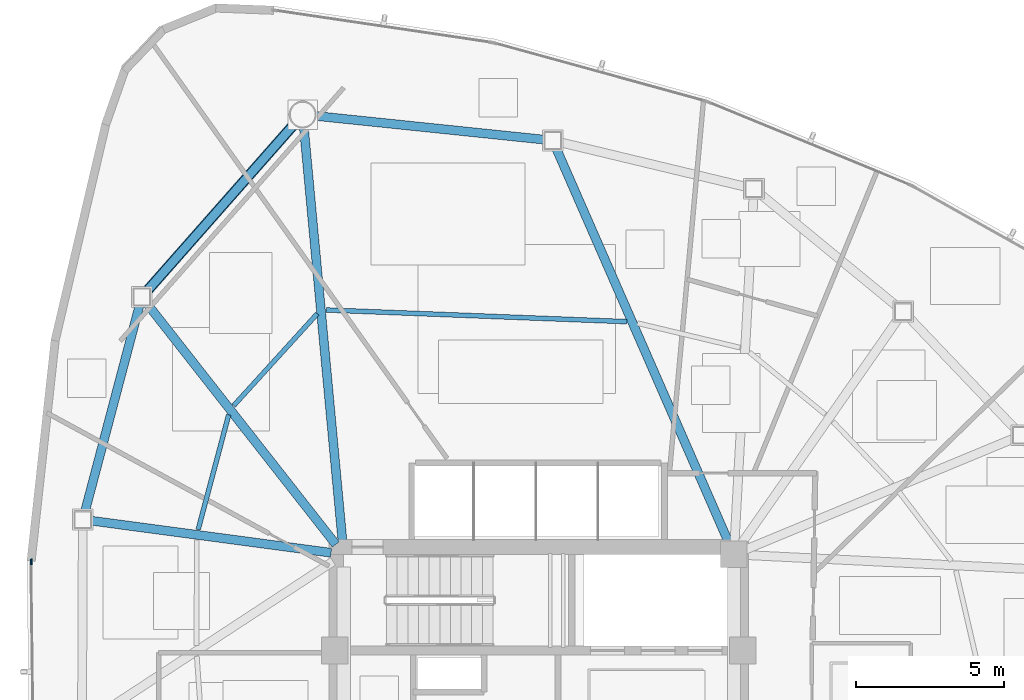
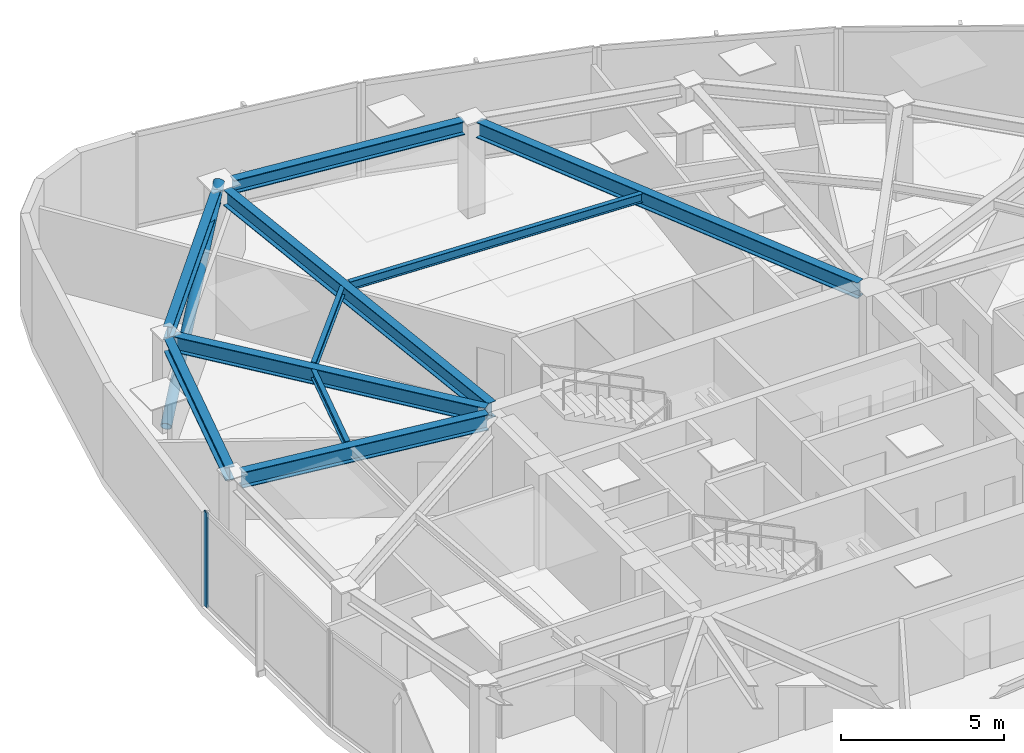
# One storey, part 7 of 18: 10 beams, 2 members, 1 element without a shape of its own.
"""IFC4 building model written with IfcOpenShell, lengths in metres."""

import ifcopenshell
import ifcopenshell.guid

model = None  # the IFC model being written
_history = None  # IfcOwnerHistory: only IFC2X3 demands one
_inside = {}  # id of a spatial element -> (the spatial element, [elements in it])
_under = {}  # id of a project, library or spatial element -> (it, [spatial elements below it])
_declared = {}  # id of a project -> (the project, [libraries it declares])
_typed = {}  # id of a type object -> (the type object, [elements of that type])
_made_of = {}  # id of a material, layer set ... -> (it, [elements and type objects made of it])


def new_model(schema):
    """Start an empty IFC model of exactly this schema.

    Asked for "IFC4X3", IfcOpenShell would pick the latest addendum, in which some entities
    have other attributes; the version numbers below select the first issue.
    IFC2X3 requires an IfcOwnerHistory on every rooted entity: one is made here for all.
    """
    global model, _history
    if schema == "IFC4X3":
        model = ifcopenshell.file(schema_version=(4, 3, 0, 0))
    else:
        model = ifcopenshell.file(schema=schema)
    _inside.clear()
    _under.clear()
    _declared.clear()
    _typed.clear()
    _made_of.clear()
    _history = None
    if model.schema == "IFC2X3":
        org = make("IfcOrganization", Name="unknown")
        user = make(
            "IfcPersonAndOrganization",
            ThePerson=make("IfcPerson", FamilyName="unknown"),
            TheOrganization=org,
        )
        app = make(
            "IfcApplication",
            ApplicationDeveloper=org,
            Version="unknown",
            ApplicationFullName="unknown",
            ApplicationIdentifier="unknown",
        )
        _history = make(
            "IfcOwnerHistory",
            OwningUser=user,
            OwningApplication=app,
            ChangeAction="ADDED",
            CreationDate=0,
        )
    return model


def make(cls, **values):
    """One entity of the class cls with the attributes given. An attribute that is None is left unset."""
    return model.create_entity(
        cls, **{name: value for name, value in values.items() if value is not None}
    )


def rooted(cls, **values):
    """An entity with a GlobalId (a new one), such as an element, a storey or a relation."""
    return make(cls, GlobalId=ifcopenshell.guid.new(), OwnerHistory=_history, **values)


def si_unit(unit_type, name, prefix=None):
    """IfcSIUnit, for example si_unit("LENGTHUNIT", "METRE", prefix="MILLI")."""
    return make("IfcSIUnit", UnitType=unit_type, Prefix=prefix, Name=name)


def assignment(units):
    """IfcUnitAssignment: the units of a project."""
    return None if units is None else make("IfcUnitAssignment", Units=units)


def point(xyz):
    """IfcCartesianPoint."""
    return None if xyz is None else make("IfcCartesianPoint", Coordinates=xyz)


def direction(xyz):
    """IfcDirection."""
    return None if xyz is None else make("IfcDirection", DirectionRatios=xyz)


def frame(location, z_axis=None, x_axis=None):
    """IfcAxis2Placement3D, a coordinate frame: its origin and axes. An axis left out is left unset."""
    return make(
        "IfcAxis2Placement3D",
        Location=point(location),
        Axis=direction(z_axis),
        RefDirection=direction(x_axis),
    )


def frame_2d(location, x_axis=None):
    """IfcAxis2Placement2D, a coordinate frame in the plane: its origin and x axis."""
    return make(
        "IfcAxis2Placement2D", Location=point(location), RefDirection=direction(x_axis)
    )


def origin():
    """The frame at (0, 0, 0) with its axes left unset."""
    return frame((0.0, 0.0, 0.0))


def origin_2d():
    """The frame at (0, 0) in the plane with its x axis left unset."""
    return frame_2d((0.0, 0.0))


def place(relative_to, where):
    """IfcLocalPlacement: puts the frame where relative to a parent placement (None: the world)."""
    return make(
        "IfcLocalPlacement", PlacementRelTo=relative_to, RelativePlacement=where
    )


def context(
    kind, dimensions, precision=None, world=None, true_north=None, identifier=None
):
    """IfcGeometricRepresentationContext, for example the 3D "Model" context."""
    return make(
        "IfcGeometricRepresentationContext",
        ContextIdentifier=identifier,
        ContextType=kind,
        CoordinateSpaceDimension=dimensions,
        Precision=precision,
        WorldCoordinateSystem=world,
        TrueNorth=true_north,
    )


def subcontext(parent, identifier, kind, view, scale=None):
    """IfcGeometricRepresentationSubContext, for example "Body" below "Model"."""
    return make(
        "IfcGeometricRepresentationSubContext",
        ContextIdentifier=identifier,
        ContextType=kind,
        ParentContext=parent,
        TargetScale=scale,
        TargetView=view,
    )


def project(units=None, contexts=None):
    """IfcProject with its units and contexts."""
    return rooted(
        "IfcProject",
        Name="project",
        RepresentationContexts=contexts,
        UnitsInContext=assignment(units),
    )


def spatial(cls, under=None, at=None, **own):
    """A site, building, storey or space (cls), placed at a placement, below another one or the project."""
    s = rooted(cls, ObjectPlacement=at, **own)
    if under is not None:
        _under.setdefault(under.id(), (under, []))[1].append(s)
    return s


def profile(cls, at=None, kind="AREA", **sizes):
    """A parametric profile (cls). Its sizes go by their IFC names, for example OverallWidth=200.0."""
    return make(cls, ProfileType=kind, Position=at, **sizes)


def hollow_rectangle(**sizes):
    """IfcRectangleHollowProfileDef."""
    return profile("IfcRectangleHollowProfileDef", **sizes)


def hollow_circle(**sizes):
    """IfcCircleHollowProfileDef."""
    return profile("IfcCircleHollowProfileDef", **sizes)


def i_section(**sizes):
    """IfcIShapeProfileDef."""
    return profile("IfcIShapeProfileDef", **sizes)


def extrude(swept, where, along, depth):
    """IfcExtrudedAreaSolid: the profile swept, set in the frame where, extruded along a direction by depth."""
    return make(
        "IfcExtrudedAreaSolid",
        SweptArea=swept,
        Position=where,
        ExtrudedDirection=direction(along),
        Depth=depth,
    )


def shape(context_of_items, identifier, shape_type, items):
    """IfcShapeRepresentation: the items that make up one representation, for example the "Body"."""
    return make(
        "IfcShapeRepresentation",
        ContextOfItems=context_of_items,
        RepresentationIdentifier=identifier,
        RepresentationType=shape_type,
        Items=items,
    )


def source(mapping_origin, context_of_items, identifier, shape_type, items):
    """IfcRepresentationMap: a shape defined once, which mapped items show again and again."""
    return make(
        "IfcRepresentationMap",
        MappingOrigin=mapping_origin,
        MappedRepresentation=shape(context_of_items, identifier, shape_type, items),
    )


def transform(
    local_origin,
    x_axis=None,
    y_axis=None,
    z_axis=None,
    scale=None,
    scale2=None,
    scale3=None,
    uniform=True,
):
    """IfcCartesianTransformationOperator3D, or its non-uniform kind. x_axis, y_axis, z_axis: its Axis1, 2, 3."""
    if uniform:
        return make(
            "IfcCartesianTransformationOperator3D",
            Axis1=direction(x_axis),
            Axis2=direction(y_axis),
            LocalOrigin=point(local_origin),
            Scale=scale,
            Axis3=direction(z_axis),
        )
    return make(
        "IfcCartesianTransformationOperator3DnonUniform",
        Axis1=direction(x_axis),
        Axis2=direction(y_axis),
        LocalOrigin=point(local_origin),
        Scale=scale,
        Axis3=direction(z_axis),
        Scale2=scale2,
        Scale3=scale3,
    )


def mapped(mapping_source, mapping_target):
    """IfcMappedItem: shows the shape of a source again, moved by a transform."""
    return make(
        "IfcMappedItem", MappingSource=mapping_source, MappingTarget=mapping_target
    )


def material(Name=None, Category=None):
    """IfcMaterial."""
    return make("IfcMaterial", Name=Name, Category=Category)


def layer(
    of_material, thickness, ventilated=None, Name=None, Category=None, Priority=None
):
    """IfcMaterialLayer: one layer of a wall or slab, of a material (None: an air gap)."""
    return make(
        "IfcMaterialLayer",
        Material=of_material,
        LayerThickness=thickness,
        IsVentilated=ventilated,
        Name=Name,
        Category=Category,
        Priority=Priority,
    )


def layer_set(layers, Name=None):
    """IfcMaterialLayerSet."""
    return make("IfcMaterialLayerSet", MaterialLayers=layers, LayerSetName=Name)


def material_profile(
    of_material, cross_section, Name=None, Category=None, Priority=None
):
    """IfcMaterialProfile: a cross section and its material."""
    return make(
        "IfcMaterialProfile",
        Name=Name,
        Material=of_material,
        Profile=cross_section,
        Priority=Priority,
        Category=Category,
    )


def profile_set(profiles, Name=None, composite=None):
    """IfcMaterialProfileSet."""
    return make(
        "IfcMaterialProfileSet",
        Name=Name,
        MaterialProfiles=profiles,
        CompositeProfile=composite,
    )


def made_of(thing, what):
    """Note that an element or type object is made of a material, layer set ...; save() writes the relation."""
    if what is not None:
        _made_of.setdefault(what.id(), (what, []))[1].append(thing)
    return thing


def type_object(cls, material=None, **own):
    """A type object (cls), such as IfcWallType, which elements share."""
    return made_of(rooted(cls, **own), material)


def type_shapes(of_type, sources):
    """Give a type object the sources (RepresentationMaps) that its elements show as mapped items."""
    of_type.RepresentationMaps = sources


def element(
    cls,
    number,
    at=None,
    inside=None,
    cuts=None,
    type_object=None,
    material=None,
    context=None,
    identifier="Body",
    shape_type=None,
    held_by="IfcProductDefinitionShape",
    body=None,
    shapes=None,
    **own,
):
    """One element of the class cls, such as IfcWall. Its Tag is "e" and its number.

    at: its placement. inside: the storey or other place that contains it. cuts: it is an
    opening in that element (IfcRelVoidsElement). A single representation is given by context,
    identifier, shape_type and body (its items); several are given by shapes. held_by: the class
    of the entity that holds the representations. save() writes the other relations.
    """
    e = rooted(cls, Tag="e%d" % number, ObjectPlacement=at, **own)
    if body is not None:
        shapes = [shape(context, identifier, shape_type, body)]
    if shapes is not None:
        e.Representation = make(held_by, Representations=shapes)
    if inside is not None:
        _inside.setdefault(inside.id(), (inside, []))[1].append(e)
    if cuts is not None:
        rooted(
            "IfcRelVoidsElement", RelatingBuildingElement=cuts, RelatedOpeningElement=e
        )
    if type_object is not None:
        _typed.setdefault(type_object.id(), (type_object, []))[1].append(e)
    return made_of(e, material)


def aggregate(whole, parts):
    """IfcRelAggregates: a whole, such as a stair, and the parts it consists of."""
    return rooted("IfcRelAggregates", RelatingObject=whole, RelatedObjects=parts)


def save(model, path):
    """Write the relations noted so far, then the file.

    IfcRelAggregates (storeys below a building ...), IfcRelContainedInSpatialStructure (elements
    in a storey), IfcRelDefinesByType, IfcRelAssociatesMaterial and IfcRelDeclares: one each for
    every whole, place, type object, material and project.
    """
    for whole, parts in _under.values():
        aggregate(whole, parts)
    for where, things in _inside.values():
        rooted(
            "IfcRelContainedInSpatialStructure",
            RelatedElements=things,
            RelatingStructure=where,
        )
    for kind, things in _typed.values():
        rooted("IfcRelDefinesByType", RelatedObjects=things, RelatingType=kind)
    for what, things in _made_of.values():
        rooted("IfcRelAssociatesMaterial", RelatedObjects=things, RelatingMaterial=what)
    for by, libraries in _declared.values():
        rooted("IfcRelDeclares", RelatingContext=by, RelatedDefinitions=libraries)
    model.write(path)


model = new_model("IFC4")

# Units and contexts
model_context = context("Model", 3, precision=1e-05, world=origin(), true_north=direction((0.0, 1.0)))
body_context = subcontext(model_context, "Body", "Model", "MODEL_VIEW")
ifc_project = project(units=[si_unit("LENGTHUNIT", "METRE"), si_unit("AREAUNIT", "SQUARE_METRE"), si_unit("VOLUMEUNIT", "CUBIC_METRE"), si_unit("PLANEANGLEUNIT", "RADIAN"), si_unit("MASSUNIT", "GRAM", prefix="KILO")], contexts=[model_context])

# Site, building, storey
site_placement = place(None, origin())
site = spatial("IfcSite", under=ifc_project, at=site_placement, CompositionType="ELEMENT")
building_placement = place(site_placement, origin())
building = spatial("IfcBuilding", under=site, at=building_placement, Name="Tavelor Broadcast Tower", CompositionType="ELEMENT")
storey_placement = place(building_placement, frame((0.0, 0.0, 177.199951171875)))
storey = spatial("IfcBuildingStorey", under=building, at=storey_placement, Name="L42", CompositionType="ELEMENT", Elevation=177.199951171875)

# Beams
ifc_material_1 = material(Name="Steel S355", Category="steel")
ifc_material_profile_1 = material_profile(ifc_material_1, i_section(OverallWidth=0.159912109375, OverallDepth=0.330078125, WebThickness=0.007568359375, FlangeThickness=0.011474609375, at=origin_2d()), Name="IPE 330")
ifc_profile_set_1 = profile_set([ifc_material_profile_1], Name="Steel S355")
beam_type_1 = type_object("IfcBeamType", Name="Composite Floor Joist T4 IPE 330", PredefinedType="JOIST", material=ifc_profile_set_1)
beam_1_placement = place(storey_placement, frame((42.505615234375, 59.343505859375, 3.385009765625), z_axis=(-0.672852052716, -0.739777071256, 0.0), x_axis=(0.739777071256, -0.672852052716, 0.0)))
element("IfcBeam", 1, at=beam_1_placement, inside=storey, type_object=beam_type_1, Name="L42 Secondary Composite Floor Joist 01", PredefinedType="JOIST", context=body_context, shape_type="SweptSolid", body=[
    extrude(i_section(OverallWidth=0.159912109375, OverallDepth=0.330078125, WebThickness=0.007568359375, FlangeThickness=0.011474609375, at=origin_2d()), origin(), (0.0, 0.0, 1.0), 4.202392578125),
])
beam_2_placement = place(storey_placement, frame((39.509521484375, 55.92578125, 3.385009765625), z_axis=(-0.256963595852, -0.966421083383, 0.0), x_axis=(0.966421083383, -0.256963595852, 0.0)))
element("IfcBeam", 2, at=beam_2_placement, inside=storey, type_object=beam_type_1, Name="L42 Secondary Composite Floor Joist 02", PredefinedType="JOIST", context=body_context, shape_type="SweptSolid", body=[
    extrude(i_section(OverallWidth=0.159912109375, OverallDepth=0.330078125, WebThickness=0.007568359375, FlangeThickness=0.011474609375, at=origin_2d()), origin(), (0.0, 0.0, 1.0), 4.021728515625),
])
beam_3_placement = place(storey_placement, frame((52.976318359375, 59.07470703125, 3.385009765625), z_axis=(-0.999243420365, 0.038891989637, 0.0), x_axis=(-0.038891989637, -0.999243420365, 0.0)))
element("IfcBeam", 3, at=beam_3_placement, inside=storey, type_object=beam_type_1, Name="L42 Secondary Composite Floor Joist 18", PredefinedType="JOIST", context=body_context, shape_type="SweptSolid", body=[
    extrude(i_section(OverallWidth=0.159912109375, OverallDepth=0.330078125, WebThickness=0.007568359375, FlangeThickness=0.011474609375, at=origin_2d()), origin(), (0.0, 0.0, 1.0), 10.17578125),
])
ifc_material_profile_2 = material_profile(ifc_material_1, i_section(OverallWidth=0.300048828125, OverallDepth=0.5, WebThickness=0.014404296875, FlangeThickness=0.028076171875, at=origin_2d()), Name="HEB 500")
ifc_profile_set_2 = profile_set([ifc_material_profile_2], Name="Steel S355")
beam_type_2 = type_object("IfcBeamType", Name="Perimeter Spandrel Beam T4 HEB 500", PredefinedType="SPANDREL", material=ifc_profile_set_2)
beam_4_placement = place(storey_placement, frame((41.720947265625, 65.7509765625, 3.300048828125), z_axis=(-0.661625943185, -0.749834055845, 0.0), x_axis=(0.749834055845, -0.661625943185, 0.0)))
element("IfcBeam", 4, at=beam_4_placement, inside=storey, type_object=beam_type_2, Name="L42 Framed-Tube Ring Spandrel 01", PredefinedType="SPANDREL", context=body_context, shape_type="SweptSolid", body=[
    extrude(i_section(OverallWidth=0.300048828125, OverallDepth=0.5, WebThickness=0.014404296875, FlangeThickness=0.028076171875, at=origin_2d()), origin(), (0.0, 0.0, 1.0), 7.500732421875),
])
beam_5_placement = place(storey_placement, frame((36.493896484375, 59.63232421875, 3.300048828125), z_axis=(-0.255762341211, -0.96673968824, 0.0), x_axis=(0.96673968824, -0.255762341211, 0.0)))
element("IfcBeam", 5, at=beam_5_placement, inside=storey, type_object=beam_type_2, Name="L42 Framed-Tube Ring Spandrel 02", PredefinedType="SPANDREL", context=body_context, shape_type="SweptSolid", body=[
    extrude(i_section(OverallWidth=0.300048828125, OverallDepth=0.5, WebThickness=0.014404296875, FlangeThickness=0.028076171875, at=origin_2d()), origin(), (0.0, 0.0, 1.0), 7.214599609375),
])
beam_6_placement = place(storey_placement, frame((50.18603515625, 65.23193359375, 3.300048828125), z_axis=(-0.99466284774, 0.103178579783, 0.0), x_axis=(-0.103178579783, -0.99466284774, 0.0)))
element("IfcBeam", 6, at=beam_6_placement, inside=storey, type_object=beam_type_2, Name="L42 Framed-Tube Ring Spandrel 18", PredefinedType="SPANDREL", context=body_context, shape_type="SweptSolid", body=[
    extrude(i_section(OverallWidth=0.300048828125, OverallDepth=0.5, WebThickness=0.014404296875, FlangeThickness=0.028076171875, at=origin_2d()), origin(), (0.0, 0.0, 1.0), 7.780029296875),
])

# Member
ifc_material_profile_3 = material_profile(ifc_material_1, hollow_circle(Radius=0.177734375, WallThickness=0.01611328125, at=origin_2d()), Name="CHS 355.6x16")
ifc_profile_set_3 = profile_set([ifc_material_profile_3], Name="Steel S355")
member_type_1 = type_object("IfcMemberType", Name="Perimeter Tube Brace T4 CHS 355.6x16", PredefinedType="BRACE", material=ifc_profile_set_3)
member_1_placement = place(storey_placement, frame((36.567626953125, 59.91064453125, 0.0), z_axis=(0.607484590691, 0.688484352459, 0.396171387776), x_axis=(-0.74983872131, 0.661620655681, 0.0)))
element("IfcMember", 7, at=member_1_placement, inside=storey, type_object=member_type_1, Name="L42 Corner Tube Diagonal Brace 1", PredefinedType="BRACE", context=body_context, shape_type="SweptSolid", body=[
    extrude(hollow_circle(Radius=0.177734375, WallThickness=0.01611328125, at=origin_2d()), origin(), (0.0, 0.0, 1.0), 8.9609375),
])

# Beams
ifc_material_profile_4 = material_profile(ifc_material_1, i_section(OverallWidth=0.300048828125, OverallDepth=0.590087890625, WebThickness=0.012939453125, FlangeThickness=0.02490234375, at=origin_2d()), Name="HEA 600")
ifc_profile_set_4 = profile_set([ifc_material_profile_4], Name="Steel S355")
beam_type_3 = type_object("IfcBeamType", Name="Radial Floor Girder T4 HEA 600", PredefinedType="BEAM", material=ifc_profile_set_4)
beam_7_placement = place(storey_placement, frame((43.35986328125, 51.630126953125, 3.255126953125), z_axis=(-0.092926929372, 0.995672931136, 0.0), x_axis=(-0.995672931136, -0.092926929372, 0.0)))
element("IfcBeam", 8, at=beam_7_placement, inside=storey, type_object=beam_type_3, Name="L42 Radial Primary Floor Girder 01", PredefinedType="BEAM", context=body_context, shape_type="SweptSolid", body=[
    extrude(i_section(OverallWidth=0.300048828125, OverallDepth=0.590087890625, WebThickness=0.012939453125, FlangeThickness=0.02490234375, at=origin_2d()), origin(), (0.0, 0.0, 1.0), 14.073974609375),
])
beam_8_placement = place(storey_placement, frame((43.13330078125, 51.539794921875, 3.255126953125), z_axis=(-0.617155684101, 0.786841065007, 0.0), x_axis=(-0.786841065007, -0.617155684101, 0.0)))
element("IfcBeam", 9, at=beam_8_placement, inside=storey, type_object=beam_type_3, Name="L42 Radial Primary Floor Girder 02", PredefinedType="BEAM", context=body_context, shape_type="SweptSolid", body=[
    extrude(i_section(OverallWidth=0.300048828125, OverallDepth=0.590087890625, WebThickness=0.012939453125, FlangeThickness=0.02490234375, at=origin_2d()), origin(), (0.0, 0.0, 1.0), 10.3505859375),
])
beam_9_placement = place(storey_placement, frame((42.9716796875, 51.257080078125, 3.255126953125), z_axis=(-0.991183810809, 0.132493974169, 0.0), x_axis=(-0.132493974169, -0.991183810809, 0.0)))
element("IfcBeam", 10, at=beam_9_placement, inside=storey, type_object=beam_type_3, Name="L42 Radial Primary Floor Girder 03", PredefinedType="BEAM", context=body_context, shape_type="SweptSolid", body=[
    extrude(i_section(OverallWidth=0.300048828125, OverallDepth=0.590087890625, WebThickness=0.012939453125, FlangeThickness=0.02490234375, at=origin_2d()), origin(), (0.0, 0.0, 1.0), 8.183349609375),
])
beam_10_placement = place(storey_placement, frame((56.4267578125, 51.595703125, 3.255126953125), z_axis=(-0.4008997337, 0.916121937036, 0.0), x_axis=(-0.916121937036, -0.4008997337, 0.0)))
element("IfcBeam", 11, at=beam_10_placement, inside=storey, type_object=beam_type_3, Name="L42 Radial Primary Floor Girder 18", PredefinedType="BEAM", context=body_context, shape_type="SweptSolid", body=[
    extrude(i_section(OverallWidth=0.300048828125, OverallDepth=0.590087890625, WebThickness=0.012939453125, FlangeThickness=0.02490234375, at=origin_2d()), origin(), (0.0, 0.0, 1.0), 14.564453125),
])

# Curtain wall, member
ifc_material_2 = material(Name="Architectural Anodized Aluminium", Category="aluminium")
ifc_layer = layer(ifc_material_2, 0.18994140625)
ifc_layer_set = layer_set([ifc_layer], Name="Architectural Anodized Aluminium")
curtain_wall_type = type_object("IfcCurtainWallType", Name="Tower Mid-Zone Acoustic Curtain Wall CW03", PredefinedType="NOTDEFINED", material=ifc_layer_set)
curtain_wall_placement = place(storey_placement, origin())
curtain_wall = element("IfcCurtainWall", 12, at=curtain_wall_placement, inside=storey, type_object=curtain_wall_type, Name="L42 Curtain Wall CW03 Run 445", PredefinedType="NOTDEFINED")
ifc_material_profile_5 = material_profile(ifc_material_2, hollow_rectangle(XDim=0.068115234375, YDim=0.18994140625, WallThickness=0.02197265625, at=origin_2d()), Name="RHS 68x190x22")
ifc_profile_set_5 = profile_set([ifc_material_profile_5], Name="Architectural Anodized Aluminium")
member_type_2 = type_object("IfcMemberType", Name="CW03 Extruded Aluminium Mullion 68x190", PredefinedType="MULLION", material=ifc_profile_set_5)
shared_shape = source(origin(), body_context, "Body", "SweptSolid", [
    extrude(hollow_rectangle(XDim=0.068115234375, YDim=0.18994140625, WallThickness=0.02197265625, at=origin_2d()), origin(), (0.0, 0.0, 1.0), 3.550048828125),
])
type_shapes(member_type_2, [shared_shape])
member_2_placement = place(storey_placement, frame((32.822509765625, 50.950927734375, 0.0), z_axis=(0.0, 0.0, 1.0), x_axis=(0.999919885704, 0.012657889797, 0.0)))
member_2 = element("IfcMember", 13, at=member_2_placement, type_object=member_type_2, Name="CW03 mullion 1", PredefinedType="MULLION", context=body_context, shape_type="MappedRepresentation", body=[
    mapped(shared_shape, transform((0.0, 0.0, 0.0), scale=1.0)),
])
aggregate(curtain_wall, [member_2])

save(model, "model.ifc")
